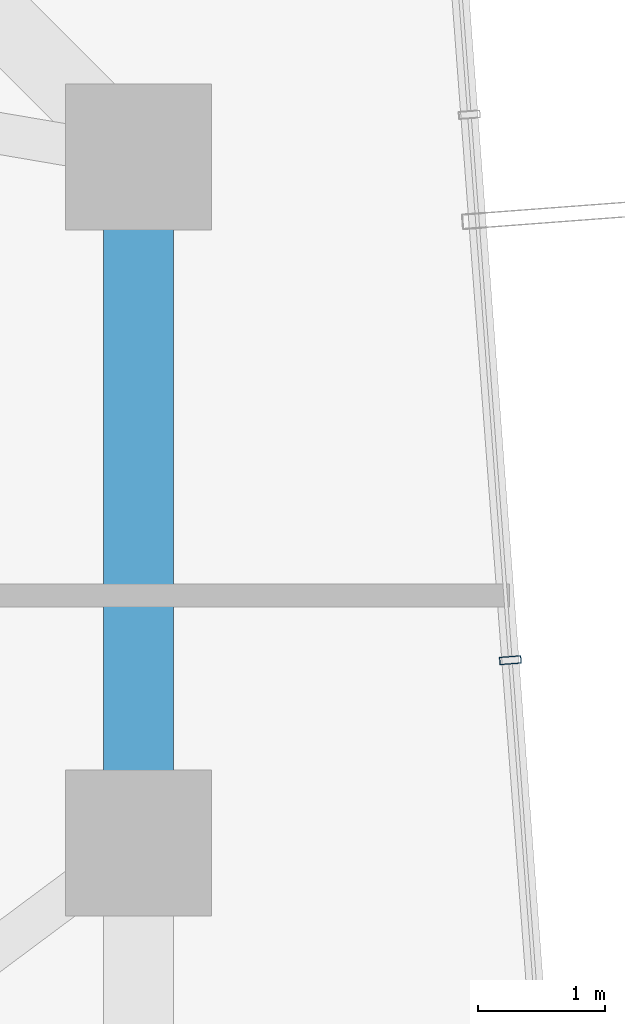
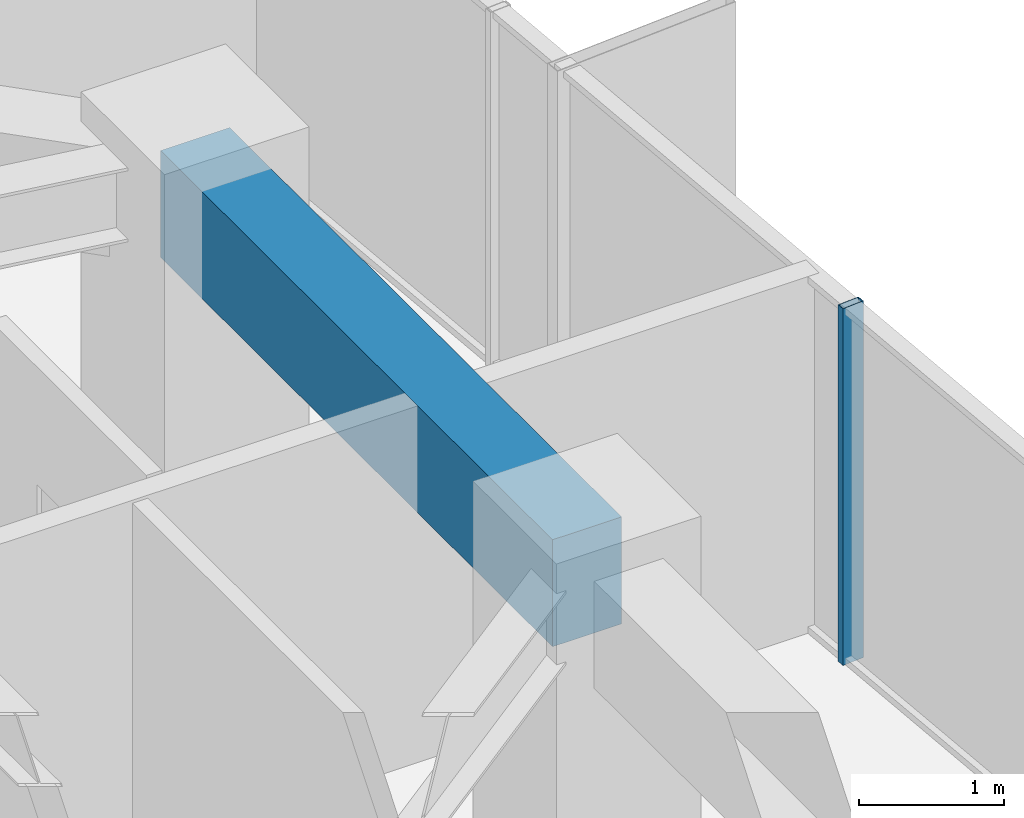
# One storey, part 17 of 35: 1 beam, 1 member, 1 element without a shape of its own.
"""IFC4 building model written with IfcOpenShell, lengths in metres."""

from ifc_helpers import new_model, si_unit, direction, frame, origin, origin_2d, place, context, subcontext, project, spatial, rectangle, hollow_rectangle, extrude, source, transform, mapped, material, layer, layer_set, material_profile, profile_set, type_object, element, aggregate, save


model = new_model("IFC4")

# Units and contexts
model_context = context("Model", 3, precision=1e-05, world=origin(), true_north=direction((0.0, 1.0)))
body_context = subcontext(model_context, "Body", "Model", "MODEL_VIEW")
ifc_project = project(units=[si_unit("LENGTHUNIT", "METRE"), si_unit("AREAUNIT", "SQUARE_METRE"), si_unit("VOLUMEUNIT", "CUBIC_METRE"), si_unit("PLANEANGLEUNIT", "RADIAN"), si_unit("MASSUNIT", "GRAM", prefix="KILO")], contexts=[model_context])

# Site, building, storey
site_placement = place(None, origin())
site = spatial("IfcSite", under=ifc_project, at=site_placement, CompositionType="ELEMENT")
building_placement = place(site_placement, origin())
building = spatial("IfcBuilding", under=site, at=building_placement, Name="Veraguas Prism Commons", CompositionType="ELEMENT")
storey_placement = place(building_placement, frame((0.0, 0.0, 142.5)))
storey = spatial("IfcBuildingStorey", under=building, at=storey_placement, Name="L40", CompositionType="ELEMENT", Elevation=142.5)

# Beam
ifc_material_1 = material(Name="Concrete C50/60", Category="concrete")
ifc_material_profile_1 = material_profile(ifc_material_1, rectangle(XDim=0.550048828125, YDim=0.89990234375, at=origin_2d()), Name="RC550X900")
ifc_profile_set_1 = profile_set([ifc_material_profile_1], Name="Concrete C50/60")
beam_type = type_object("IfcBeamType", Name="Perimeter Spandrel Lower RC 550x900", PredefinedType="SPANDREL", material=ifc_profile_set_1)
beam_placement = place(storey_placement, frame((40.199951171875, 24.0, 2.550048828125), z_axis=(0.0, 1.0, 0.0), x_axis=(-1.0, 0.0, 0.0)))
element("IfcBeam", 1, at=beam_placement, inside=storey, type_object=beam_type, Name="Perimeter Spandrel Beam L40-SP02", PredefinedType="SPANDREL", context=body_context, shape_type="SweptSolid", body=[
    extrude(rectangle(XDim=0.550048828125, YDim=0.89990234375, at=origin_2d()), origin(), (0.0, 0.0, 1.0), 5.39990234375),
])

# Curtain wall, member
ifc_material_2 = material(Name="Anodised aluminium EN AW-6063 T6", Category="aluminium")
ifc_layer = layer(ifc_material_2, 0.169921875, Name="Unitised Flush Curtain Wall Zone 2", Category="aluminium")
ifc_layer_set = layer_set([ifc_layer], Name="Anodised aluminium EN AW-6063 T6")
curtain_wall_type = type_object("IfcCurtainWallType", Name="Unitised Flush Curtain Wall Zone 2", PredefinedType="NOTDEFINED", material=ifc_layer_set)
curtain_wall_placement = place(storey_placement, origin())
curtain_wall = element("IfcCurtainWall", 2, at=curtain_wall_placement, inside=storey, type_object=curtain_wall_type, Name="Tower Facade Curtain Wall L40-F6", PredefinedType="NOTDEFINED")
ifc_material_profile_2 = material_profile(ifc_material_2, hollow_rectangle(XDim=0.06005859375, YDim=0.169921875, WallThickness=0.00390625, at=origin_2d()), Name="AL60X170X4")
ifc_profile_set_2 = profile_set([ifc_material_profile_2], Name="Anodised aluminium EN AW-6063 T6")
member_type = type_object("IfcMemberType", Name="Curtain Wall Mullion Lower AL 60x170x4", PredefinedType="MULLION", material=ifc_profile_set_2)
shared_shape = source(origin(), body_context, "Body", "SweptSolid", [
    extrude(hollow_rectangle(XDim=0.06005859375, YDim=0.169921875, WallThickness=0.00390625, at=origin_2d()), origin(), (0.0, 0.0, 1.0), 3.0),
])
member_placement = place(storey_placement, frame((43.12841796875, 25.438232421875, 0.0), z_axis=(0.0, 0.0, 1.0), x_axis=(-0.074978726826, 0.997185133525, 0.0)))
member = element("IfcMember", 3, at=member_placement, type_object=member_type, Name="CW-Z2 Mullion 3", PredefinedType="MULLION", context=body_context, shape_type="MappedRepresentation", body=[
    mapped(shared_shape, transform((0.0, 0.0, 0.0), scale=1.0)),
])
aggregate(curtain_wall, [member])

save(model, "model.ifc")
